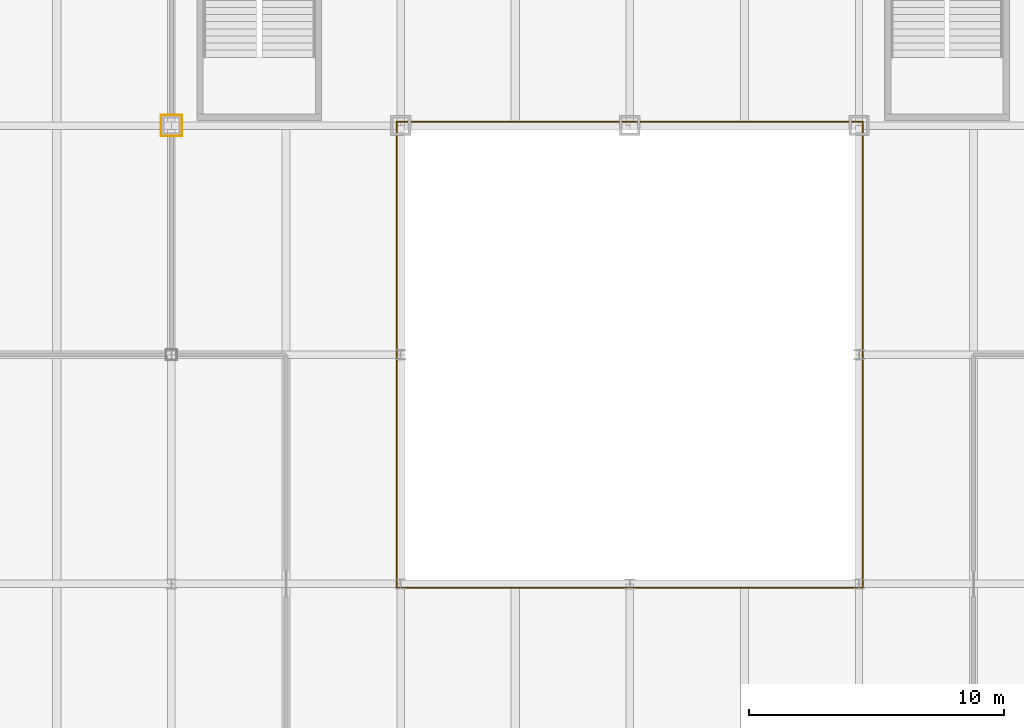
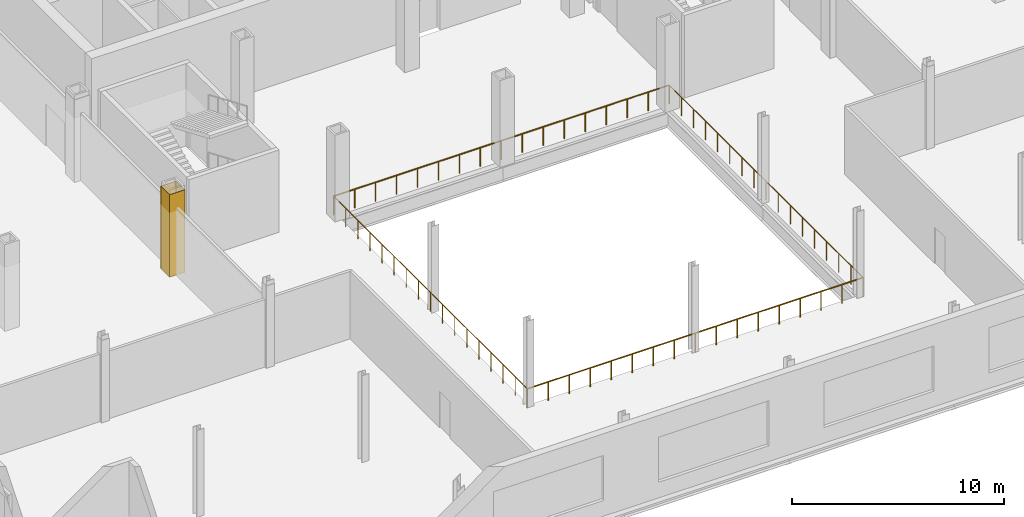
# One storey, part 20 of 28: 4 coverings, 4 railings.
"""IFC4 building model written with IfcOpenShell, lengths in metres."""

from ifc_helpers import new_model, si_unit, direction, frame, origin, origin_2d, place, context, subcontext, project, spatial, rectangle, circle, extrude, material, layer, layer_set, type_object, element, save


model = new_model("IFC4")

# Units and contexts
model_context = context("Model", 3, precision=1e-05, world=origin(), true_north=direction((0.0, 1.0)))
body_context = subcontext(model_context, "Body", "Model", "MODEL_VIEW")
ifc_project = project(units=[si_unit("LENGTHUNIT", "METRE"), si_unit("AREAUNIT", "SQUARE_METRE"), si_unit("VOLUMEUNIT", "CUBIC_METRE"), si_unit("PLANEANGLEUNIT", "RADIAN"), si_unit("MASSUNIT", "GRAM", prefix="KILO")], contexts=[model_context])

# Site, building, storey
site_placement = place(None, origin())
site = spatial("IfcSite", under=ifc_project, at=site_placement, CompositionType="ELEMENT")
building_placement = place(site_placement, origin())
building = spatial("IfcBuilding", under=site, at=building_placement, Name="Loomwork Tower", CompositionType="ELEMENT")
storey_placement = place(building_placement, frame((0.0, 0.0, 6.0)))
storey = spatial("IfcBuildingStorey", under=building, at=storey_placement, Name="L01", CompositionType="ELEMENT", Elevation=6.0)

# Coverings
ifc_material_1 = material(Name="Two-hour fire-rated gypsum board casing")
ifc_layer = layer(ifc_material_1, 0.02490234375)
ifc_layer_set = layer_set([ifc_layer], Name="Column fire casing 25")
covering_type = type_object("IfcCoveringType", Name="Column fire casing 25", PredefinedType="CLADDING", material=ifc_layer_set)
for number, where, z_axis, x_axis, name in (
    (1, (9.0, 0.41259765625, 0.0), (0.0, 0.0, 1.0), (1.0, 0.0, 0.0), "Column casing 9 0 L01"),
    (2, (9.0, -0.41259765625, 0.0), (0.0, 0.0, 1.0), (1.0, 0.0, 0.0), "Column casing 9 0 L01"),
):
    element("IfcCovering", number, at=place(storey_placement, frame(where, z_axis=z_axis, x_axis=x_axis)), inside=storey, type_object=covering_type, Name=name, PredefinedType="CLADDING", context=body_context, shape_type="SweptSolid", body=[
        extrude(rectangle(XDim=0.85009765625, YDim=0.02490234375, at=origin_2d()), origin(), (0.0, 0.0, 1.0), 4.75),
    ])
for number, where, z_axis, x_axis, name in (
    (3, (9.41259765625, 0.0, 0.0), (0.0, 0.0, 1.0), (1.0, 0.0, 0.0), "Column casing 9 0 L01"),
    (4, (8.58740234375, 0.0, 0.0), (0.0, 0.0, 1.0), (1.0, 0.0, 0.0), "Column casing 9 0 L01"),
):
    element("IfcCovering", number, at=place(storey_placement, frame(where, z_axis=z_axis, x_axis=x_axis)), inside=storey, type_object=covering_type, Name=name, PredefinedType="CLADDING", context=body_context, shape_type="SweptSolid", body=[
        extrude(rectangle(XDim=0.02490234375, YDim=0.800048828125, at=origin_2d()), origin(), (0.0, 0.0, 1.0), 4.75),
    ])

# Railings
ifc_material_2 = material(Name="Stainless steel and laminated glass guard", Category="steel")
railing_type = type_object("IfcRailingType", Name="Guard 1100", PredefinedType="GUARDRAIL", material=ifc_material_2)
railing_1_placement = place(storey_placement, frame((17.85009765625, -18.14990234375, 0.0)))
element("IfcRailing", 5, at=railing_1_placement, inside=storey, type_object=railing_type, Name="Atrium guard S L01", PredefinedType="GUARDRAIL", context=body_context, shape_type="SweptSolid", body=[
    extrude(circle(Radius=0.02392578125, at=origin_2d()), frame((0.0, 0.0, 1.076171875), z_axis=(1.0, 0.0, 0.0), x_axis=(0.0, 1.0, 0.0)), (0.0, 0.0, 1.0), 18.2998046875),
    extrude(circle(Radius=0.02099609375, at=origin_2d()), origin(), (0.0, 0.0, 1.0), 1.052001953125),
    extrude(circle(Radius=0.02099609375, at=origin_2d()), frame((1.143798828125, 0.0, 0.0)), (0.0, 0.0, 1.0), 1.052001953125),
    extrude(circle(Radius=0.02099609375, at=origin_2d()), frame((2.28759765625, 0.0, 0.0)), (0.0, 0.0, 1.0), 1.052001953125),
    extrude(circle(Radius=0.02099609375, at=origin_2d()), frame((3.43115234375, 0.0, 0.0)), (0.0, 0.0, 1.0), 1.052001953125),
    extrude(circle(Radius=0.02099609375, at=origin_2d()), frame((4.574951171875, 0.0, 0.0)), (0.0, 0.0, 1.0), 1.052001953125),
    extrude(circle(Radius=0.02099609375, at=origin_2d()), frame((5.71875, 0.0, 0.0)), (0.0, 0.0, 1.0), 1.052001953125),
    extrude(circle(Radius=0.02099609375, at=origin_2d()), frame((6.8623046875, 0.0, 0.0)), (0.0, 0.0, 1.0), 1.052001953125),
    extrude(circle(Radius=0.02099609375, at=origin_2d()), frame((8.006103515625, 0.0, 0.0)), (0.0, 0.0, 1.0), 1.052001953125),
    extrude(circle(Radius=0.02099609375, at=origin_2d()), frame((9.14990234375, 0.0, 0.0)), (0.0, 0.0, 1.0), 1.052001953125),
    extrude(circle(Radius=0.02099609375, at=origin_2d()), frame((10.293701171875, 0.0, 0.0)), (0.0, 0.0, 1.0), 1.052001953125),
    extrude(circle(Radius=0.02099609375, at=origin_2d()), frame((11.4375, 0.0, 0.0)), (0.0, 0.0, 1.0), 1.052001953125),
    extrude(circle(Radius=0.02099609375, at=origin_2d()), frame((12.5810546875, 0.0, 0.0)), (0.0, 0.0, 1.0), 1.052001953125),
    extrude(circle(Radius=0.02099609375, at=origin_2d()), frame((13.724853515625, 0.0, 0.0)), (0.0, 0.0, 1.0), 1.052001953125),
    extrude(circle(Radius=0.02099609375, at=origin_2d()), frame((14.86865234375, 0.0, 0.0)), (0.0, 0.0, 1.0), 1.052001953125),
    extrude(circle(Radius=0.02099609375, at=origin_2d()), frame((16.01220703125, 0.0, 0.0)), (0.0, 0.0, 1.0), 1.052001953125),
    extrude(circle(Radius=0.02099609375, at=origin_2d()), frame((17.156005859375, 0.0, 0.0)), (0.0, 0.0, 1.0), 1.052001953125),
    extrude(circle(Radius=0.02099609375, at=origin_2d()), frame((18.2998046875, 0.0, 0.0)), (0.0, 0.0, 1.0), 1.052001953125),
])
railing_2_placement = place(storey_placement, frame((36.14990234375, -18.14990234375, 0.0)))
element("IfcRailing", 6, at=railing_2_placement, inside=storey, type_object=railing_type, Name="Atrium guard E L01", PredefinedType="GUARDRAIL", context=body_context, shape_type="SweptSolid", body=[
    extrude(circle(Radius=0.02392578125, at=origin_2d()), frame((0.0, 0.0, 1.076171875), z_axis=(0.0, 1.0, 0.0), x_axis=(-1.0, 0.0, 0.0)), (0.0, 0.0, 1.0), 18.2998046875),
    extrude(circle(Radius=0.02099609375, at=origin_2d()), origin(), (0.0, 0.0, 1.0), 1.052001953125),
    extrude(circle(Radius=0.02099609375, at=origin_2d()), frame((0.0, 1.143798828125, 0.0)), (0.0, 0.0, 1.0), 1.052001953125),
    extrude(circle(Radius=0.02099609375, at=origin_2d()), frame((0.0, 2.28759765625, 0.0)), (0.0, 0.0, 1.0), 1.052001953125),
    extrude(circle(Radius=0.02099609375, at=origin_2d()), frame((0.0, 3.43115234375, 0.0)), (0.0, 0.0, 1.0), 1.052001953125),
    extrude(circle(Radius=0.02099609375, at=origin_2d()), frame((0.0, 4.574951171875, 0.0)), (0.0, 0.0, 1.0), 1.052001953125),
    extrude(circle(Radius=0.02099609375, at=origin_2d()), frame((0.0, 5.71875, 0.0)), (0.0, 0.0, 1.0), 1.052001953125),
    extrude(circle(Radius=0.02099609375, at=origin_2d()), frame((0.0, 6.8623046875, 0.0)), (0.0, 0.0, 1.0), 1.052001953125),
    extrude(circle(Radius=0.02099609375, at=origin_2d()), frame((0.0, 8.006103515625, 0.0)), (0.0, 0.0, 1.0), 1.052001953125),
    extrude(circle(Radius=0.02099609375, at=origin_2d()), frame((0.0, 9.14990234375, 0.0)), (0.0, 0.0, 1.0), 1.052001953125),
    extrude(circle(Radius=0.02099609375, at=origin_2d()), frame((0.0, 10.293701171875, 0.0)), (0.0, 0.0, 1.0), 1.052001953125),
    extrude(circle(Radius=0.02099609375, at=origin_2d()), frame((0.0, 11.4375, 0.0)), (0.0, 0.0, 1.0), 1.052001953125),
    extrude(circle(Radius=0.02099609375, at=origin_2d()), frame((0.0, 12.5810546875, 0.0)), (0.0, 0.0, 1.0), 1.052001953125),
    extrude(circle(Radius=0.02099609375, at=origin_2d()), frame((0.0, 13.724853515625, 0.0)), (0.0, 0.0, 1.0), 1.052001953125),
    extrude(circle(Radius=0.02099609375, at=origin_2d()), frame((0.0, 14.86865234375, 0.0)), (0.0, 0.0, 1.0), 1.052001953125),
    extrude(circle(Radius=0.02099609375, at=origin_2d()), frame((0.0, 16.01220703125, 0.0)), (0.0, 0.0, 1.0), 1.052001953125),
    extrude(circle(Radius=0.02099609375, at=origin_2d()), frame((0.0, 17.156005859375, 0.0)), (0.0, 0.0, 1.0), 1.052001953125),
    extrude(circle(Radius=0.02099609375, at=origin_2d()), frame((0.0, 18.2998046875, 0.0)), (0.0, 0.0, 1.0), 1.052001953125),
])
railing_3_placement = place(storey_placement, frame((36.14990234375, 0.14990234375, 0.0)))
element("IfcRailing", 7, at=railing_3_placement, inside=storey, type_object=railing_type, Name="Atrium guard N L01", PredefinedType="GUARDRAIL", context=body_context, shape_type="SweptSolid", body=[
    extrude(circle(Radius=0.02392578125, at=origin_2d()), frame((0.0, 0.0, 1.076171875), z_axis=(-1.0, 0.0, 0.0), x_axis=(0.0, -1.0, 0.0)), (0.0, 0.0, 1.0), 18.2998046875),
    extrude(circle(Radius=0.02099609375, at=origin_2d()), origin(), (0.0, 0.0, 1.0), 1.052001953125),
    extrude(circle(Radius=0.02099609375, at=origin_2d()), frame((-1.143798828125, 0.0, 0.0)), (0.0, 0.0, 1.0), 1.052001953125),
    extrude(circle(Radius=0.02099609375, at=origin_2d()), frame((-2.28759765625, 0.0, 0.0)), (0.0, 0.0, 1.0), 1.052001953125),
    extrude(circle(Radius=0.02099609375, at=origin_2d()), frame((-3.43115234375, 0.0, 0.0)), (0.0, 0.0, 1.0), 1.052001953125),
    extrude(circle(Radius=0.02099609375, at=origin_2d()), frame((-4.574951171875, 0.0, 0.0)), (0.0, 0.0, 1.0), 1.052001953125),
    extrude(circle(Radius=0.02099609375, at=origin_2d()), frame((-5.71875, 0.0, 0.0)), (0.0, 0.0, 1.0), 1.052001953125),
    extrude(circle(Radius=0.02099609375, at=origin_2d()), frame((-6.8623046875, 0.0, 0.0)), (0.0, 0.0, 1.0), 1.052001953125),
    extrude(circle(Radius=0.02099609375, at=origin_2d()), frame((-8.006103515625, 0.0, 0.0)), (0.0, 0.0, 1.0), 1.052001953125),
    extrude(circle(Radius=0.02099609375, at=origin_2d()), frame((-9.14990234375, 0.0, 0.0)), (0.0, 0.0, 1.0), 1.052001953125),
    extrude(circle(Radius=0.02099609375, at=origin_2d()), frame((-10.293701171875, 0.0, 0.0)), (0.0, 0.0, 1.0), 1.052001953125),
    extrude(circle(Radius=0.02099609375, at=origin_2d()), frame((-11.4375, 0.0, 0.0)), (0.0, 0.0, 1.0), 1.052001953125),
    extrude(circle(Radius=0.02099609375, at=origin_2d()), frame((-12.5810546875, 0.0, 0.0)), (0.0, 0.0, 1.0), 1.052001953125),
    extrude(circle(Radius=0.02099609375, at=origin_2d()), frame((-13.724853515625, 0.0, 0.0)), (0.0, 0.0, 1.0), 1.052001953125),
    extrude(circle(Radius=0.02099609375, at=origin_2d()), frame((-14.86865234375, 0.0, 0.0)), (0.0, 0.0, 1.0), 1.052001953125),
    extrude(circle(Radius=0.02099609375, at=origin_2d()), frame((-16.01220703125, 0.0, 0.0)), (0.0, 0.0, 1.0), 1.052001953125),
    extrude(circle(Radius=0.02099609375, at=origin_2d()), frame((-17.156005859375, 0.0, 0.0)), (0.0, 0.0, 1.0), 1.052001953125),
    extrude(circle(Radius=0.02099609375, at=origin_2d()), frame((-18.2998046875, 0.0, 0.0)), (0.0, 0.0, 1.0), 1.052001953125),
])
railing_4_placement = place(storey_placement, frame((17.85009765625, 0.14990234375, 0.0)))
element("IfcRailing", 8, at=railing_4_placement, inside=storey, type_object=railing_type, Name="Atrium guard W L01", PredefinedType="GUARDRAIL", context=body_context, shape_type="SweptSolid", body=[
    extrude(circle(Radius=0.02392578125, at=origin_2d()), frame((0.0, 0.0, 1.076171875), z_axis=(0.0, -1.0, 0.0), x_axis=(1.0, 0.0, 0.0)), (0.0, 0.0, 1.0), 18.2998046875),
    extrude(circle(Radius=0.02099609375, at=origin_2d()), origin(), (0.0, 0.0, 1.0), 1.052001953125),
    extrude(circle(Radius=0.02099609375, at=origin_2d()), frame((0.0, -1.143798828125, 0.0)), (0.0, 0.0, 1.0), 1.052001953125),
    extrude(circle(Radius=0.02099609375, at=origin_2d()), frame((0.0, -2.28759765625, 0.0)), (0.0, 0.0, 1.0), 1.052001953125),
    extrude(circle(Radius=0.02099609375, at=origin_2d()), frame((0.0, -3.43115234375, 0.0)), (0.0, 0.0, 1.0), 1.052001953125),
    extrude(circle(Radius=0.02099609375, at=origin_2d()), frame((0.0, -4.574951171875, 0.0)), (0.0, 0.0, 1.0), 1.052001953125),
    extrude(circle(Radius=0.02099609375, at=origin_2d()), frame((0.0, -5.71875, 0.0)), (0.0, 0.0, 1.0), 1.052001953125),
    extrude(circle(Radius=0.02099609375, at=origin_2d()), frame((0.0, -6.8623046875, 0.0)), (0.0, 0.0, 1.0), 1.052001953125),
    extrude(circle(Radius=0.02099609375, at=origin_2d()), frame((0.0, -8.006103515625, 0.0)), (0.0, 0.0, 1.0), 1.052001953125),
    extrude(circle(Radius=0.02099609375, at=origin_2d()), frame((0.0, -9.14990234375, 0.0)), (0.0, 0.0, 1.0), 1.052001953125),
    extrude(circle(Radius=0.02099609375, at=origin_2d()), frame((0.0, -10.293701171875, 0.0)), (0.0, 0.0, 1.0), 1.052001953125),
    extrude(circle(Radius=0.02099609375, at=origin_2d()), frame((0.0, -11.4375, 0.0)), (0.0, 0.0, 1.0), 1.052001953125),
    extrude(circle(Radius=0.02099609375, at=origin_2d()), frame((0.0, -12.5810546875, 0.0)), (0.0, 0.0, 1.0), 1.052001953125),
    extrude(circle(Radius=0.02099609375, at=origin_2d()), frame((0.0, -13.724853515625, 0.0)), (0.0, 0.0, 1.0), 1.052001953125),
    extrude(circle(Radius=0.02099609375, at=origin_2d()), frame((0.0, -14.86865234375, 0.0)), (0.0, 0.0, 1.0), 1.052001953125),
    extrude(circle(Radius=0.02099609375, at=origin_2d()), frame((0.0, -16.01220703125, 0.0)), (0.0, 0.0, 1.0), 1.052001953125),
    extrude(circle(Radius=0.02099609375, at=origin_2d()), frame((0.0, -17.156005859375, 0.0)), (0.0, 0.0, 1.0), 1.052001953125),
    extrude(circle(Radius=0.02099609375, at=origin_2d()), frame((0.0, -18.2998046875, 0.0)), (0.0, 0.0, 1.0), 1.052001953125),
])

save(model, "model.ifc")
